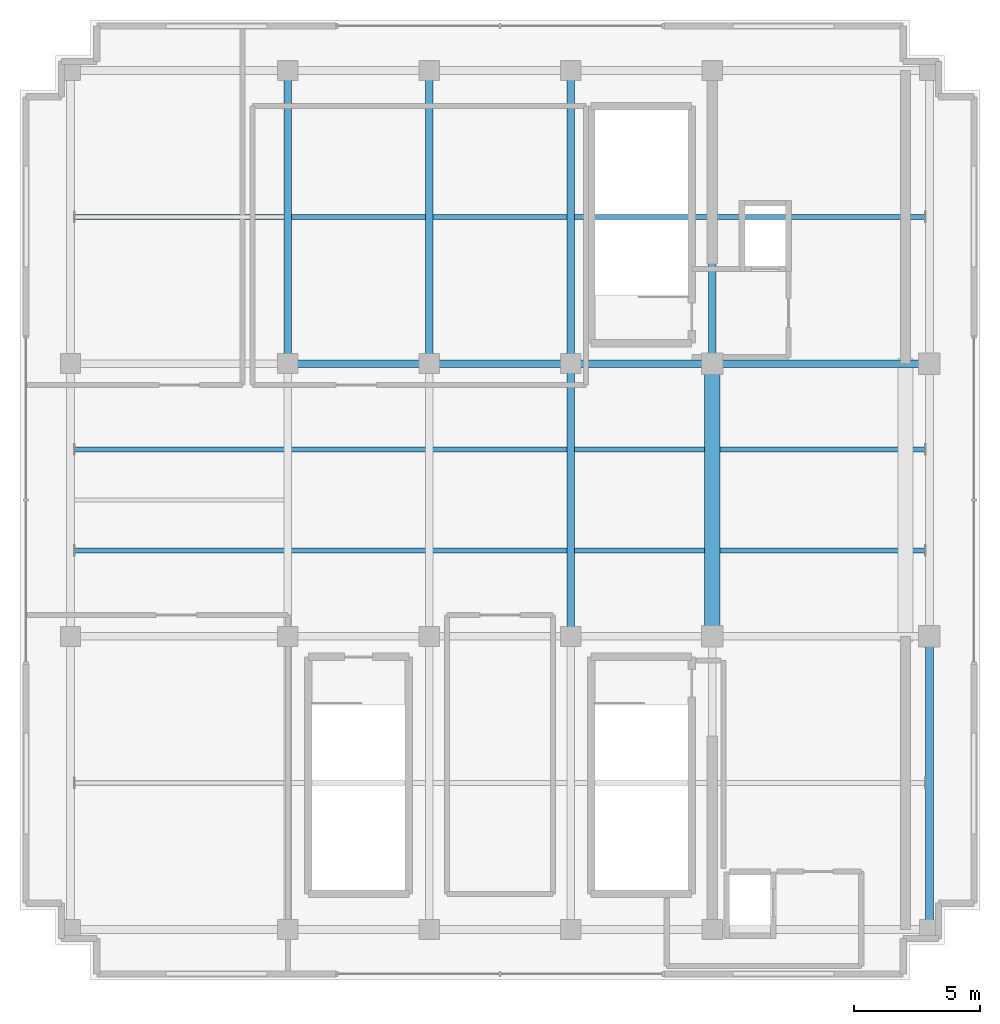
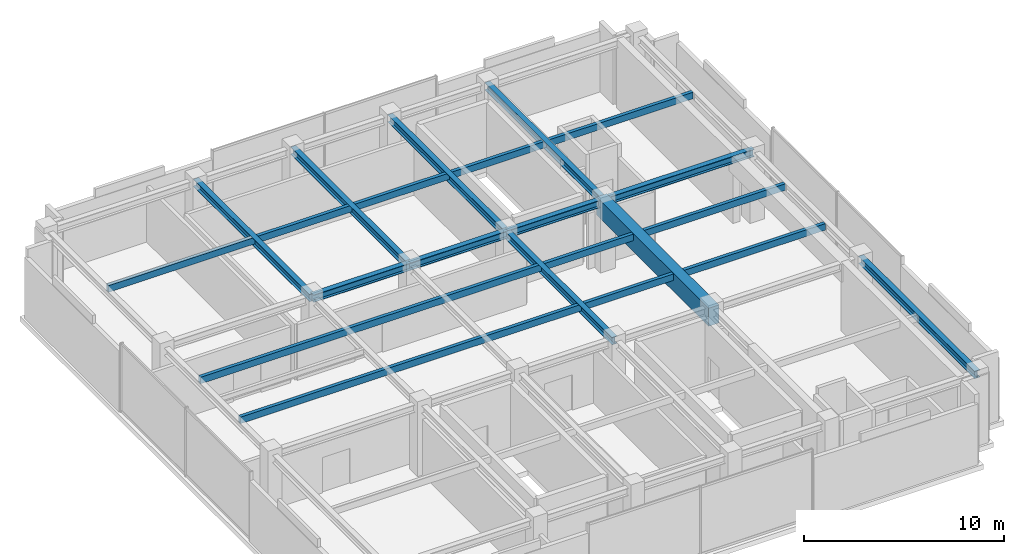
# One storey, part 11 of 21: 11 beams, 3 members.
"""IFC4 building model written with IfcOpenShell, lengths in metres."""

from ifc_helpers import new_model, si_unit, direction, frame, origin, origin_2d, place, context, subcontext, project, spatial, rectangle, hollow_rectangle, i_section, extrude, source, transform, mapped, material, material_profile, profile_set, type_object, element, save


model = new_model("IFC4")

# Units and contexts
model_context = context("Model", 3, precision=1e-05, world=origin(), true_north=direction((0.0, 1.0)))
body_context = subcontext(model_context, "Body", "Model", "MODEL_VIEW")
ifc_project = project(units=[si_unit("LENGTHUNIT", "METRE"), si_unit("AREAUNIT", "SQUARE_METRE"), si_unit("VOLUMEUNIT", "CUBIC_METRE"), si_unit("PLANEANGLEUNIT", "RADIAN"), si_unit("MASSUNIT", "GRAM", prefix="KILO")], contexts=[model_context])

# Site, building, storey
site_placement = place(None, origin())
site = spatial("IfcSite", under=ifc_project, at=site_placement, CompositionType="ELEMENT")
building_placement = place(site_placement, origin())
building = spatial("IfcBuilding", under=site, at=building_placement, Name="Nahalor Promenade Grand Hotel", CompositionType="ELEMENT")
storey_placement = place(building_placement, frame((0.0, 0.0, 370.85009765625)))
storey = spatial("IfcBuildingStorey", under=building, at=storey_placement, Name="L94", CompositionType="ELEMENT", Elevation=370.85009765625)

# Beams
ifc_material_1 = material(Name="Concrete B-60 (C50/60)", Category="concrete")
ifc_material_profile_1 = material_profile(ifc_material_1, rectangle(XDim=0.6, YDim=1.1, at=origin_2d()), Name="RC 600x1100")
ifc_profile_set_1 = profile_set([ifc_material_profile_1], Name="Concrete B-60 (C50/60)")
beam_type_1 = type_object("IfcBeamType", Name="Beam-Lintel-RC1100", PredefinedType="LINTEL", material=ifc_profile_set_1)
shared_shape_1 = source(origin(), body_context, "Body", "SweptSolid", [
    extrude(rectangle(XDim=0.6, YDim=1.1, at=origin_2d()), origin(), (0.0, 0.0, 1.0), 11.2001953125),
])
beam_1_placement = place(storey_placement, frame((8.39990234375, -5.60009765625, 3.669921875), z_axis=(0.0, 1.0, 0.0), x_axis=(-1.0, 0.0, 0.0)))
element("IfcBeam", 1, at=beam_1_placement, inside=storey, type_object=beam_type_1, Name="BM-L94-LINT-W", PredefinedType="LINTEL", context=body_context, shape_type="MappedRepresentation", body=[
    mapped(shared_shape_1, transform((0.0, 0.0, 0.0), scale=1.0)),
])
ifc_material_2 = material(Name="Steel S355JR", Category="steel")
ifc_material_profile_2 = material_profile(ifc_material_2, i_section(OverallWidth=0.3, OverallDepth=0.45, WebThickness=0.014, FlangeThickness=0.026, at=origin_2d()), Name="HEB 450")
ifc_profile_set_2 = profile_set([ifc_material_profile_2], Name="Steel S355JR")
beam_type_2 = type_object("IfcBeamType", Name="Beam-Girder-HEB450", PredefinedType="BEAM", material=ifc_profile_set_2)
shared_shape_2 = source(origin(), body_context, "Body", "SweptSolid", [
    extrude(i_section(OverallWidth=0.3, OverallDepth=0.45, WebThickness=0.014, FlangeThickness=0.026, at=origin_2d()), origin(), (0.0, 0.0, 1.0), 8.60009765625),
])
beam_2_placement = place(storey_placement, frame((8.39990234375, 5.39990234375, 3.994873046875), z_axis=(1.0, 0.0, 0.0), x_axis=(0.0, 1.0, 0.0)))
element("IfcBeam", 2, at=beam_2_placement, inside=storey, type_object=beam_type_2, Name="BM-L94-GX-2-4", PredefinedType="BEAM", context=body_context, shape_type="MappedRepresentation", body=[
    mapped(shared_shape_2, transform((0.0, 0.0, 0.0), scale=1.0)),
])
shared_shape_3 = source(origin(), body_context, "Body", "SweptSolid", [
    extrude(i_section(OverallWidth=0.3, OverallDepth=0.45, WebThickness=0.014, FlangeThickness=0.026, at=origin_2d()), origin(), (0.0, 0.0, 1.0), 5.599853515625),
])
for number, where, z_axis, x_axis, name in (
    (3, (-8.39990234375, 5.39990234375, 3.994873046875), (1.0, 0.0, 0.0), (0.0, 1.0, 0.0), "BM-L94-GX-2-1"),
    (4, (2.800048828125, 5.39990234375, 3.994873046875), (1.0, 0.0, 0.0), (0.0, 1.0, 0.0), "BM-L94-GX-2-3"),
):
    element("IfcBeam", number, at=place(storey_placement, frame(where, z_axis=z_axis, x_axis=x_axis)), inside=storey, type_object=beam_type_2, Name=name, PredefinedType="BEAM", context=body_context, shape_type="MappedRepresentation", body=[
        mapped(shared_shape_3, transform((0.0, 0.0, 0.0), scale=1.0)),
    ])
shared_shape_4 = source(origin(), body_context, "Body", "SweptSolid", [
    extrude(i_section(OverallWidth=0.3, OverallDepth=0.45, WebThickness=0.014, FlangeThickness=0.026, at=origin_2d()), origin(), (0.0, 0.0, 1.0), 5.60009765625),
])
beam_3_placement = place(storey_placement, frame((-2.800048828125, 5.39990234375, 3.994873046875), z_axis=(1.0, 0.0, 0.0), x_axis=(0.0, 1.0, 0.0)))
element("IfcBeam", 5, at=beam_3_placement, inside=storey, type_object=beam_type_2, Name="BM-L94-GX-2-2", PredefinedType="BEAM", context=body_context, shape_type="MappedRepresentation", body=[
    mapped(shared_shape_4, transform((0.0, 0.0, 0.0), scale=1.0)),
])
shared_shape_5 = source(origin(), body_context, "Body", "SweptSolid", [
    extrude(i_section(OverallWidth=0.3, OverallDepth=0.45, WebThickness=0.014, FlangeThickness=0.026, at=origin_2d()), origin(), (0.0, 0.0, 1.0), 11.60009765625),
])
for number, where, z_axis, x_axis, name in (
    (6, (-8.39990234375, 5.39990234375, 3.994873046875), (0.0, 1.0, 0.0), (-1.0, 0.0, 0.0), "BM-L94-GY-1-2"),
    (7, (-2.800048828125, 5.39990234375, 3.994873046875), (0.0, 1.0, 0.0), (-1.0, 0.0, 0.0), "BM-L94-GY-2-2"),
    (8, (2.800048828125, 5.39990234375, 3.994873046875), (0.0, 1.0, 0.0), (-1.0, 0.0, 0.0), "BM-L94-GY-3-2"),
    (9, (8.39990234375, 5.39990234375, 3.994873046875), (0.0, 1.0, 0.0), (-1.0, 0.0, 0.0), "BM-L94-GY-4-2"),
    (10, (17.0, -17.0, 3.994873046875), (0.0, 1.0, 0.0), (-1.0, 0.0, 0.0), "BM-L94-GY-5-0"),
):
    element("IfcBeam", number, at=place(storey_placement, frame(where, z_axis=z_axis, x_axis=x_axis)), inside=storey, type_object=beam_type_2, Name=name, PredefinedType="BEAM", context=body_context, shape_type="MappedRepresentation", body=[
        mapped(shared_shape_5, transform((0.0, 0.0, 0.0), scale=1.0)),
    ])
shared_shape_6 = source(origin(), body_context, "Body", "SweptSolid", [
    extrude(i_section(OverallWidth=0.3, OverallDepth=0.45, WebThickness=0.014, FlangeThickness=0.026, at=origin_2d()), origin(), (0.0, 0.0, 1.0), 10.7998046875),
])
beam_4_placement = place(storey_placement, frame((2.800048828125, -5.39990234375, 3.994873046875), z_axis=(0.0, 1.0, 0.0), x_axis=(-1.0, 0.0, 0.0)))
element("IfcBeam", 11, at=beam_4_placement, inside=storey, type_object=beam_type_2, Name="BM-L94-GY-3-1", PredefinedType="BEAM", context=body_context, shape_type="MappedRepresentation", body=[
    mapped(shared_shape_6, transform((0.0, 0.0, 0.0), scale=1.0)),
])

# Members
ifc_material_profile_3 = material_profile(ifc_material_2, hollow_rectangle(XDim=0.2, YDim=0.4, WallThickness=0.016, at=origin_2d()), Name="RHS 400x200x16")
ifc_profile_set_3 = profile_set([ifc_material_profile_3], Name="Steel S355JR")
member_type = type_object("IfcMemberType", Name="Mem-CanopyPurlin-RHS400", PredefinedType="PURLIN", material=ifc_profile_set_3)
shared_shape_7 = source(origin(), body_context, "Body", "SweptSolid", [
    extrude(hollow_rectangle(XDim=0.2, YDim=0.4, WallThickness=0.016, at=origin_2d()), origin(), (0.0, 0.0, 1.0), 33.7001953125),
])
for number, where, z_axis, x_axis, name in (
    (12, (-16.85009765625, -2.0, 4.0), (1.0, 0.0, 0.0), (0.0, 1.0, 0.0), "RF-PURL-A1"),
    (13, (-16.85009765625, 2.0, 4.0), (1.0, 0.0, 0.0), (0.0, 1.0, 0.0), "RF-PURL-A2"),
    (14, (-16.85009765625, 11.199951171875, 4.0), (1.0, 0.0, 0.0), (0.0, 1.0, 0.0), "RF-PURL-A3"),
):
    element("IfcMember", number, at=place(storey_placement, frame(where, z_axis=z_axis, x_axis=x_axis)), inside=storey, type_object=member_type, Name=name, PredefinedType="PURLIN", context=body_context, shape_type="MappedRepresentation", body=[
        mapped(shared_shape_7, transform((0.0, 0.0, 0.0), scale=1.0)),
    ])

save(model, "model.ifc")
